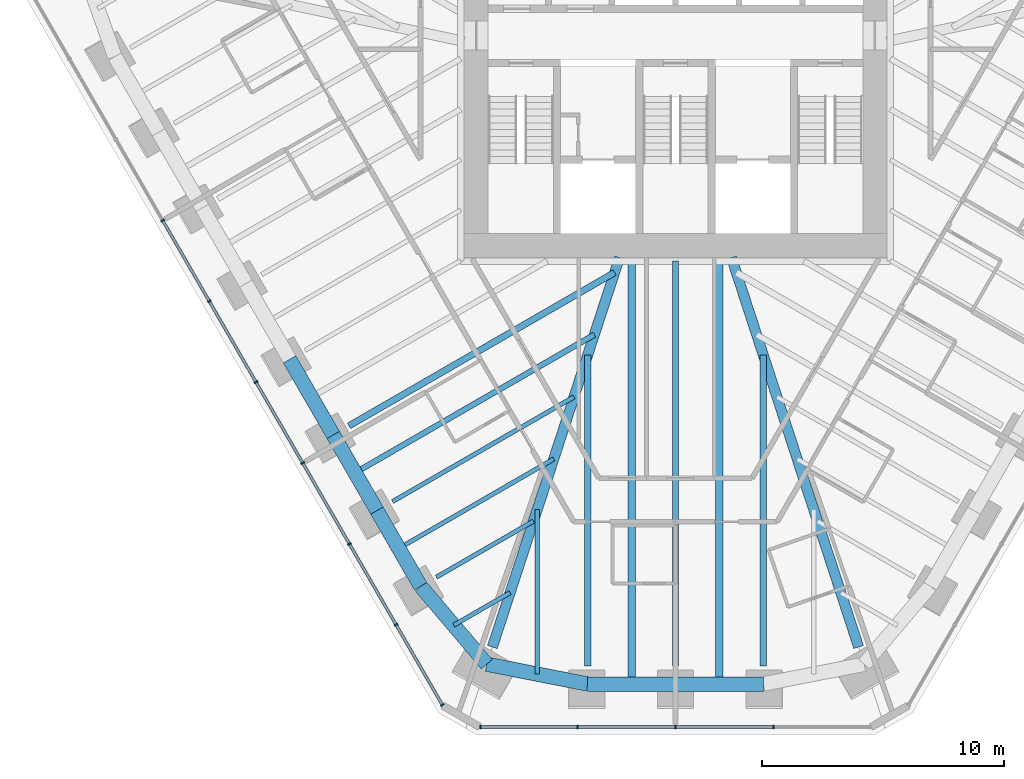
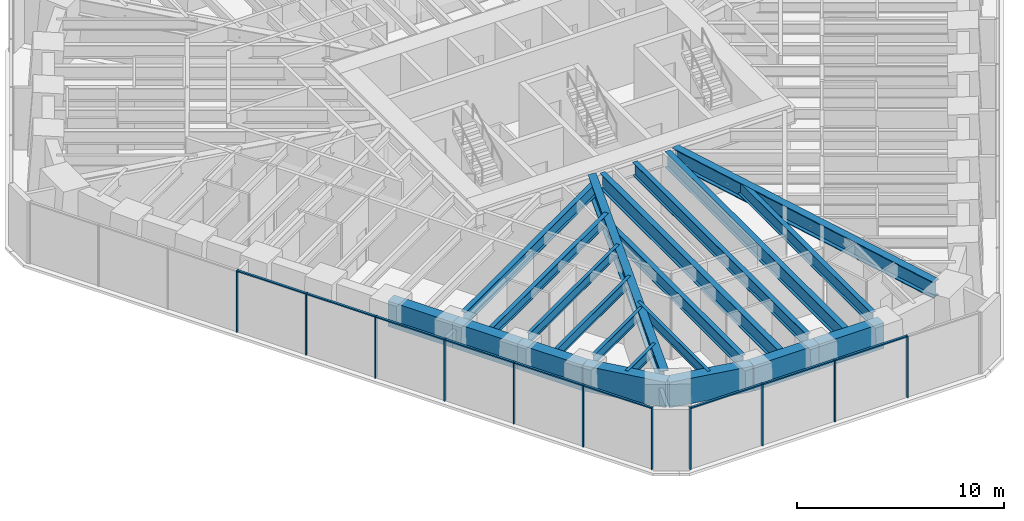
# One storey, part 2 of 17: 21 beams, 20 members, 2 elements without a shape of their own.
"""IFC4 building model written with IfcOpenShell, lengths in metres."""

from ifc_helpers import new_model, si_unit, direction, frame, origin, origin_2d, place, context, subcontext, project, spatial, rectangle, i_section, extrude, material, material_profile, profile_set, type_object, element, aggregate, save


model = new_model("IFC4")

# Units and contexts
model_context = context("Model", 3, precision=1e-05, world=origin(), true_north=direction((0.0, 1.0)))
body_context = subcontext(model_context, "Body", "Model", "MODEL_VIEW")
ifc_project = project(units=[si_unit("LENGTHUNIT", "METRE"), si_unit("AREAUNIT", "SQUARE_METRE"), si_unit("VOLUMEUNIT", "CUBIC_METRE"), si_unit("PLANEANGLEUNIT", "RADIAN"), si_unit("MASSUNIT", "GRAM", prefix="KILO")], contexts=[model_context])

# Site, building, storey
site_placement = place(None, origin())
site = spatial("IfcSite", under=ifc_project, at=site_placement, CompositionType="ELEMENT")
building_placement = place(site_placement, origin())
building = spatial("IfcBuilding", under=site, at=building_placement, Name="Sandreach Pilgrim Tower", CompositionType="ELEMENT")
storey_placement = place(building_placement, frame((0.0, 0.0, 236.39990234375)))
storey = spatial("IfcBuildingStorey", under=building, at=storey_placement, Name="L59", CompositionType="ELEMENT", Elevation=236.39990234375)

# Curtain wall, members
ifc_material_1 = material(Name="Aluminium framed curtain wall", Category="aluminium")
curtain_wall_type = type_object("IfcCurtainWallType", Name="Upper hotel tower curtain wall", PredefinedType="NOTDEFINED", material=ifc_material_1)
curtain_wall_1_placement = place(storey_placement, origin())
curtain_wall_1 = element("IfcCurtainWall", 1, at=curtain_wall_1_placement, inside=storey, type_object=curtain_wall_type, Name="CW-3 L59 S", PredefinedType="NOTDEFINED")
ifc_material_2 = material(Name="Aluminium extrusion", Category="aluminium")
ifc_material_profile_1 = material_profile(ifc_material_2, rectangle(XDim=0.06494140625, YDim=0.159912109375, at=origin_2d()), Name="CW-3M 65X160")
ifc_profile_set_1 = profile_set([ifc_material_profile_1], Name="Aluminium extrusion")
member_type_1 = type_object("IfcMemberType", Name="CW-3 mullion", PredefinedType="MULLION", material=ifc_profile_set_1)
member_1_placement = place(storey_placement, frame((4.048583984375, -26.525146484375, 0.0), z_axis=(0.0, 0.0, 1.0), x_axis=(-1.0, 0.0, 0.0)))
member_1 = element("IfcMember", 2, at=member_1_placement, type_object=member_type_1, Name="CW-3 mullion 2", PredefinedType="MULLION", context=body_context, shape_type="SweptSolid", body=[
    extrude(rectangle(XDim=0.06494140625, YDim=0.159912109375, at=origin_2d()), origin(), (0.0, 0.0, 1.0), 3.64013671875),
])
member_2_placement = place(storey_placement, frame((0.0, -26.525146484375, 0.0), z_axis=(0.0, 0.0, 1.0), x_axis=(-1.0, 0.0, 0.0)))
member_2 = element("IfcMember", 3, at=member_2_placement, type_object=member_type_1, Name="CW-3 mullion 3", PredefinedType="MULLION", context=body_context, shape_type="SweptSolid", body=[
    extrude(rectangle(XDim=0.06494140625, YDim=0.159912109375, at=origin_2d()), origin(), (0.0, 0.0, 1.0), 3.64013671875),
])
member_3_placement = place(storey_placement, frame((-4.048583984375, -26.525146484375, 0.0), z_axis=(0.0, 0.0, 1.0), x_axis=(-1.0, 0.0, 0.0)))
member_3 = element("IfcMember", 4, at=member_3_placement, type_object=member_type_1, Name="CW-3 mullion 4", PredefinedType="MULLION", context=body_context, shape_type="SweptSolid", body=[
    extrude(rectangle(XDim=0.06494140625, YDim=0.159912109375, at=origin_2d()), origin(), (0.0, 0.0, 1.0), 3.64013671875),
])
member_4_placement = place(storey_placement, frame((-8.06494140625, -26.525146484375, 0.0), z_axis=(0.0, 0.0, 1.0), x_axis=(-1.0, 0.0, 0.0)))
member_4 = element("IfcMember", 5, at=member_4_placement, type_object=member_type_1, Name="CW-3 mullion 5", PredefinedType="MULLION", context=body_context, shape_type="SweptSolid", body=[
    extrude(rectangle(XDim=0.06494140625, YDim=0.159912109375, at=origin_2d()), origin(), (0.0, 0.0, 1.0), 3.64013671875),
])

curtain_wall_2_placement = place(storey_placement, origin())
curtain_wall_2 = element("IfcCurtainWall", 6, at=curtain_wall_2_placement, inside=storey, type_object=curtain_wall_type, Name="CW-3 L59 SW", PredefinedType="NOTDEFINED")
member_5_placement = place(storey_placement, frame((-9.646484375, -25.612060546875, 0.0), z_axis=(0.0, 0.0, 1.0), x_axis=(-0.5, 0.866025403784, 0.0)))
member_5 = element("IfcMember", 7, at=member_5_placement, type_object=member_type_1, Name="CW-3 mullion 1", PredefinedType="MULLION", context=body_context, shape_type="SweptSolid", body=[
    extrude(rectangle(XDim=0.06494140625, YDim=0.159912109375, at=origin_2d()), origin(), (0.0, 0.0, 1.0), 3.64013671875),
])
member_6_placement = place(storey_placement, frame((-11.5625, -22.29345703125, 0.0), z_axis=(0.0, 0.0, 1.0), x_axis=(-0.5, 0.866025403784, 0.0)))
member_6 = element("IfcMember", 8, at=member_6_placement, type_object=member_type_1, Name="CW-3 mullion 2", PredefinedType="MULLION", context=body_context, shape_type="SweptSolid", body=[
    extrude(rectangle(XDim=0.06494140625, YDim=0.159912109375, at=origin_2d()), origin(), (0.0, 0.0, 1.0), 3.64013671875),
])
member_7_placement = place(storey_placement, frame((-13.49462890625, -18.94677734375, 0.0), z_axis=(0.0, 0.0, 1.0), x_axis=(-0.5, 0.866025403784, 0.0)))
member_7 = element("IfcMember", 9, at=member_7_placement, type_object=member_type_1, Name="CW-3 mullion 3", PredefinedType="MULLION", context=body_context, shape_type="SweptSolid", body=[
    extrude(rectangle(XDim=0.06494140625, YDim=0.159912109375, at=origin_2d()), origin(), (0.0, 0.0, 1.0), 3.64013671875),
])
member_8_placement = place(storey_placement, frame((-15.4267578125, -15.60009765625, 0.0), z_axis=(0.0, 0.0, 1.0), x_axis=(-0.5, 0.866025403784, 0.0)))
member_8 = element("IfcMember", 10, at=member_8_placement, type_object=member_type_1, Name="CW-3 mullion 4", PredefinedType="MULLION", context=body_context, shape_type="SweptSolid", body=[
    extrude(rectangle(XDim=0.06494140625, YDim=0.159912109375, at=origin_2d()), origin(), (0.0, 0.0, 1.0), 3.64013671875),
])
member_9_placement = place(storey_placement, frame((-17.359130859375, -12.25341796875, 0.0), z_axis=(0.0, 0.0, 1.0), x_axis=(-0.5, 0.866025403784, 0.0)))
member_9 = element("IfcMember", 11, at=member_9_placement, type_object=member_type_1, Name="CW-3 mullion 5", PredefinedType="MULLION", context=body_context, shape_type="SweptSolid", body=[
    extrude(rectangle(XDim=0.06494140625, YDim=0.159912109375, at=origin_2d()), origin(), (0.0, 0.0, 1.0), 3.64013671875),
])
member_10_placement = place(storey_placement, frame((-19.291259765625, -8.90673828125, 0.0), z_axis=(0.0, 0.0, 1.0), x_axis=(-0.5, 0.866025403784, 0.0)))
member_10 = element("IfcMember", 12, at=member_10_placement, type_object=member_type_1, Name="CW-3 mullion 6", PredefinedType="MULLION", context=body_context, shape_type="SweptSolid", body=[
    extrude(rectangle(XDim=0.06494140625, YDim=0.159912109375, at=origin_2d()), origin(), (0.0, 0.0, 1.0), 3.64013671875),
])
member_11_placement = place(storey_placement, frame((-21.223388671875, -5.56005859375, 0.0), z_axis=(0.0, 0.0, 1.0), x_axis=(-0.5, 0.866025403784, 0.0)))
member_11 = element("IfcMember", 13, at=member_11_placement, type_object=member_type_1, Name="CW-3 mullion 7", PredefinedType="MULLION", context=body_context, shape_type="SweptSolid", body=[
    extrude(rectangle(XDim=0.06494140625, YDim=0.159912109375, at=origin_2d()), origin(), (0.0, 0.0, 1.0), 3.64013671875),
])

# Member
ifc_material_3 = material(Name="Aluminium extrusion", Category="aluminium")
ifc_material_profile_2 = material_profile(ifc_material_3, rectangle(XDim=0.1201171875, YDim=0.070068359375, at=origin_2d()), Name="CW-3T 120X70")
ifc_profile_set_2 = profile_set([ifc_material_profile_2], Name="Aluminium extrusion")
member_type_2 = type_object("IfcMemberType", Name="CW-3 transom", PredefinedType="USERDEFINED", material=ifc_profile_set_2)
member_12_placement = place(storey_placement, frame((4.01611328125, -26.525146484375, 3.60498046875), z_axis=(-1.0, 0.0, 0.0), x_axis=(0.0, -1.0, 0.0)))
member_12 = element("IfcMember", 14, at=member_12_placement, type_object=member_type_2, Name="CW-3 head transom 2", ObjectType="TRANSOM", PredefinedType="USERDEFINED", context=body_context, shape_type="SweptSolid", body=[
    extrude(rectangle(XDim=0.1201171875, YDim=0.070068359375, at=origin_2d()), origin(), (0.0, 0.0, 1.0), 3.983642578125),
])

member_13_placement = place(storey_placement, frame((-0.032470703125, -26.525146484375, 3.60498046875), z_axis=(-1.0, 0.0, 0.0), x_axis=(0.0, -1.0, 0.0)))
member_13 = element("IfcMember", 15, at=member_13_placement, type_object=member_type_2, Name="CW-3 head transom 3", ObjectType="TRANSOM", PredefinedType="USERDEFINED", context=body_context, shape_type="SweptSolid", body=[
    extrude(rectangle(XDim=0.1201171875, YDim=0.070068359375, at=origin_2d()), origin(), (0.0, 0.0, 1.0), 3.983642578125),
])

member_14_placement = place(storey_placement, frame((-4.081298828125, -26.525146484375, 3.60498046875), z_axis=(-1.0, 0.0, 0.0), x_axis=(0.0, -1.0, 0.0)))
member_14 = element("IfcMember", 16, at=member_14_placement, type_object=member_type_2, Name="CW-3 head transom 4", ObjectType="TRANSOM", PredefinedType="USERDEFINED", context=body_context, shape_type="SweptSolid", body=[
    extrude(rectangle(XDim=0.1201171875, YDim=0.070068359375, at=origin_2d()), origin(), (0.0, 0.0, 1.0), 3.951171875),
])

aggregate(curtain_wall_1, [member_1, member_2, member_3, member_4, member_12, member_13, member_14])

member_15_placement = place(storey_placement, frame((-9.662841796875, -25.583740234375, 3.60498046875), z_axis=(-0.499973055223, 0.8660409598, 0.0), x_axis=(-0.8660409598, -0.499973055223, 0.0)))
member_15 = element("IfcMember", 17, at=member_15_placement, type_object=member_type_2, Name="CW-3 head transom 1", ObjectType="TRANSOM", PredefinedType="USERDEFINED", context=body_context, shape_type="SweptSolid", body=[
    extrude(rectangle(XDim=0.1201171875, YDim=0.070068359375, at=origin_2d()), origin(), (0.0, 0.0, 1.0), 3.766845703125),
])

member_16_placement = place(storey_placement, frame((-11.57861328125, -22.265380859375, 3.60498046875), z_axis=(-0.500022797313, 0.86601224135, 0.0), x_axis=(-0.86601224135, -0.500022797313, 0.0)))
member_16 = element("IfcMember", 18, at=member_16_placement, type_object=member_type_2, Name="CW-3 head transom 2", ObjectType="TRANSOM", PredefinedType="USERDEFINED", context=body_context, shape_type="SweptSolid", body=[
    extrude(rectangle(XDim=0.1201171875, YDim=0.070068359375, at=origin_2d()), origin(), (0.0, 0.0, 1.0), 3.799560546875),
])

member_17_placement = place(storey_placement, frame((-13.510986328125, -18.918701171875, 3.60498046875), z_axis=(-0.499974606132, 0.866040064445, 0.0), x_axis=(-0.866040064445, -0.499974606132, 0.0)))
member_17 = element("IfcMember", 19, at=member_17_placement, type_object=member_type_2, Name="CW-3 head transom 3", ObjectType="TRANSOM", PredefinedType="USERDEFINED", context=body_context, shape_type="SweptSolid", body=[
    extrude(rectangle(XDim=0.1201171875, YDim=0.070068359375, at=origin_2d()), origin(), (0.0, 0.0, 1.0), 3.799560546875),
])

member_18_placement = place(storey_placement, frame((-15.443115234375, -15.572021484375, 3.60498046875), z_axis=(-0.499974606132, 0.866040064445, 0.0), x_axis=(-0.866040064445, -0.499974606132, 0.0)))
member_18 = element("IfcMember", 20, at=member_18_placement, type_object=member_type_2, Name="CW-3 head transom 4", ObjectType="TRANSOM", PredefinedType="USERDEFINED", context=body_context, shape_type="SweptSolid", body=[
    extrude(rectangle(XDim=0.1201171875, YDim=0.070068359375, at=origin_2d()), origin(), (0.0, 0.0, 1.0), 3.799560546875),
])

member_19_placement = place(storey_placement, frame((-17.375244140625, -12.225341796875, 3.60498046875), z_axis=(-0.500022797313, 0.86601224135, 0.0), x_axis=(-0.86601224135, -0.500022797313, 0.0)))
member_19 = element("IfcMember", 21, at=member_19_placement, type_object=member_type_2, Name="CW-3 head transom 5", ObjectType="TRANSOM", PredefinedType="USERDEFINED", context=body_context, shape_type="SweptSolid", body=[
    extrude(rectangle(XDim=0.1201171875, YDim=0.070068359375, at=origin_2d()), origin(), (0.0, 0.0, 1.0), 3.799560546875),
])

member_20_placement = place(storey_placement, frame((-19.3076171875, -8.878662109375, 3.60498046875), z_axis=(-0.499974606132, 0.866040064445, 0.0), x_axis=(-0.866040064445, -0.499974606132, 0.0)))
member_20 = element("IfcMember", 22, at=member_20_placement, type_object=member_type_2, Name="CW-3 head transom 6", ObjectType="TRANSOM", PredefinedType="USERDEFINED", context=body_context, shape_type="SweptSolid", body=[
    extrude(rectangle(XDim=0.1201171875, YDim=0.070068359375, at=origin_2d()), origin(), (0.0, 0.0, 1.0), 3.799560546875),
])

aggregate(curtain_wall_2, [member_5, member_6, member_7, member_8, member_9, member_10, member_11, member_15, member_16, member_17, member_18, member_19, member_20])

# Beams
ifc_material_4 = material(Name="Steel ASTM A992 Grade 50", Category="steel")
ifc_material_profile_3 = material_profile(ifc_material_4, i_section(OverallWidth=0.421630859375, OverallDepth=0.95751953125, WebThickness=0.02587890625, FlangeThickness=0.046875, at=origin_2d()), Name="W36X330")
ifc_profile_set_3 = profile_set([ifc_material_profile_3], Name="Steel ASTM A992 Grade 50")
beam_type_1 = type_object("IfcBeamType", Name="Corner girder W36X330", PredefinedType="BEAM", material=ifc_profile_set_3)
for number, where, z_axis, x_axis, name in (
    (23, (7.57763671875, -23.214111328125, 3.161376953125), (-0.310310673891, 0.950635201152, 0.0), (-0.950635201152, -0.310310673891, 0.0), "BM L59 CG22"),
    (24, (-7.57763671875, -23.214111328125, 3.161376953125), (0.310310673891, 0.950635201152, 0.0), (-0.950635201152, 0.310310673891, 0.0), "BM L59 CG26"),
):
    element("IfcBeam", number, at=place(storey_placement, frame(where, z_axis=z_axis, x_axis=x_axis)), inside=storey, type_object=beam_type_1, Name=name, PredefinedType="BEAM", context=body_context, shape_type="SweptSolid", body=[
        extrude(i_section(OverallWidth=0.421630859375, OverallDepth=0.95751953125, WebThickness=0.02587890625, FlangeThickness=0.046875, at=origin_2d()), origin(), (0.0, 0.0, 1.0), 16.95068359375),
    ])
ifc_material_5 = material(Name="Steel ASTM A992 Grade 50", Category="steel")
ifc_material_profile_4 = material_profile(ifc_material_5, i_section(OverallWidth=0.1787109375, OverallDepth=0.60205078125, WebThickness=0.010986328125, FlangeThickness=0.014892578125, at=origin_2d()), Name="W24X62")
ifc_profile_set_4 = profile_set([ifc_material_profile_4], Name="Steel ASTM A992 Grade 50")
beam_type_2 = type_object("IfcBeamType", Name="Floor beam W24X62", PredefinedType="BEAM", material=ifc_profile_set_4)
beam_1_placement = place(storey_placement, frame((-9.897705078125, -20.325927734375, 3.339111328125), z_axis=(0.866020945878, 0.500007721242, 0.0), x_axis=(-0.500007721242, 0.866020945878, 0.0)))
element("IfcBeam", 25, at=beam_1_placement, inside=storey, type_object=beam_type_2, Name="BM L59 F27", PredefinedType="BEAM", context=body_context, shape_type="SweptSolid", body=[
    extrude(i_section(OverallWidth=0.1787109375, OverallDepth=0.60205078125, WebThickness=0.010986328125, FlangeThickness=0.014892578125, at=origin_2d()), origin(), (0.0, 0.0, 1.0), 4.642578125),
])
beam_2_placement = place(storey_placement, frame((-11.70556640625, -17.19482421875, 3.339111328125), z_axis=(0.866038795048, 0.499976804933, 0.0), x_axis=(-0.499976804933, 0.866038795048, 0.0)))
element("IfcBeam", 26, at=beam_2_placement, inside=storey, type_object=beam_type_2, Name="BM L59 F28", PredefinedType="BEAM", context=body_context, shape_type="SweptSolid", body=[
    extrude(i_section(OverallWidth=0.1787109375, OverallDepth=0.60205078125, WebThickness=0.010986328125, FlangeThickness=0.014892578125, at=origin_2d()), origin(), (0.0, 0.0, 1.0), 8.6689453125),
])
beam_3_placement = place(storey_placement, frame((-5.722412109375, -24.33642578125, 3.339111328125), z_axis=(0.0, 1.0, 0.0), x_axis=(-1.0, 0.0, 0.0)))
element("IfcBeam", 27, at=beam_3_placement, inside=storey, type_object=beam_type_2, Name="BM L59 FM25", PredefinedType="BEAM", context=body_context, shape_type="SweptSolid", body=[
    extrude(i_section(OverallWidth=0.1787109375, OverallDepth=0.60205078125, WebThickness=0.010986328125, FlangeThickness=0.014892578125, at=origin_2d()), origin(), (0.0, 0.0, 1.0), 6.80615234375),
])
beam_4_placement = place(storey_placement, frame((-9.178955078125, -22.314208984375, 3.339111328125), z_axis=(0.866039334336, 0.4999758708, 0.0), x_axis=(-0.4999758708, 0.866039334336, 0.0)))
element("IfcBeam", 28, at=beam_4_placement, inside=storey, type_object=beam_type_2, Name="BM L59 FM26", PredefinedType="BEAM", context=body_context, shape_type="SweptSolid", body=[
    extrude(i_section(OverallWidth=0.1787109375, OverallDepth=0.60205078125, WebThickness=0.010986328125, FlangeThickness=0.014892578125, at=origin_2d()), origin(), (0.0, 0.0, 1.0), 2.696533203125),
])
beam_5_placement = place(storey_placement, frame((-11.451171875, -19.135498046875, 3.339111328125), z_axis=(0.866025283471, 0.50000020839, 0.0), x_axis=(-0.50000020839, 0.866025283471, 0.0)))
element("IfcBeam", 29, at=beam_5_placement, inside=storey, type_object=beam_type_2, Name="BM L59 FM27", PredefinedType="BEAM", context=body_context, shape_type="SweptSolid", body=[
    extrude(i_section(OverallWidth=0.1787109375, OverallDepth=0.60205078125, WebThickness=0.010986328125, FlangeThickness=0.014892578125, at=origin_2d()), origin(), (0.0, 0.0, 1.0), 7.40576171875),
])
ifc_material_6 = material(Name="Steel ASTM A992 Grade 50", Category="steel")
ifc_material_profile_5 = material_profile(ifc_material_6, i_section(OverallWidth=0.23046875, OverallDepth=0.6171875, WebThickness=0.01318359375, FlangeThickness=0.022216796875, at=origin_2d()), Name="W24X94")
ifc_profile_set_5 = profile_set([ifc_material_profile_5], Name="Steel ASTM A992 Grade 50")
beam_type_3 = type_object("IfcBeamType", Name="Floor beam W24X94", PredefinedType="BEAM", material=ifc_profile_set_5)
beam_6_placement = place(storey_placement, frame((-13.2587890625, -16.00439453125, 3.33154296875), z_axis=(0.866022704618, 0.500004675065, 0.0), x_axis=(-0.500004675065, 0.866022704618, 0.0)))
element("IfcBeam", 30, at=beam_6_placement, inside=storey, type_object=beam_type_3, Name="BM L59 FM28", PredefinedType="BEAM", context=body_context, shape_type="SweptSolid", body=[
    extrude(i_section(OverallWidth=0.23046875, OverallDepth=0.6171875, WebThickness=0.01318359375, FlangeThickness=0.022216796875, at=origin_2d()), origin(), (0.0, 0.0, 1.0), 11.43212890625),
])
ifc_material_7 = material(Name="Steel ASTM A992 Grade 50", Category="steel")
ifc_material_profile_6 = material_profile(ifc_material_7, i_section(OverallWidth=0.2666015625, OverallDepth=0.761962890625, WebThickness=0.014404296875, FlangeThickness=0.021484375, at=origin_2d()), Name="W30X116")
ifc_profile_set_6 = profile_set([ifc_material_profile_6], Name="Steel ASTM A992 Grade 50")
beam_type_4 = type_object("IfcBeamType", Name="Floor beam W30X116", PredefinedType="BEAM", material=ifc_profile_set_6)
for number, where, z_axis, x_axis, name in (
    (31, (3.634033203125, -23.995849609375, 3.259033203125), (0.0, 1.0, 0.0), (-1.0, 0.0, 0.0), "BM L59 F23"),
    (32, (-3.634033203125, -23.995849609375, 3.259033203125), (0.0, 1.0, 0.0), (-1.0, 0.0, 0.0), "BM L59 F25"),
):
    element("IfcBeam", number, at=place(storey_placement, frame(where, z_axis=z_axis, x_axis=x_axis)), inside=storey, type_object=beam_type_4, Name=name, PredefinedType="BEAM", context=body_context, shape_type="SweptSolid", body=[
        extrude(i_section(OverallWidth=0.2666015625, OverallDepth=0.761962890625, WebThickness=0.014404296875, FlangeThickness=0.021484375, at=origin_2d()), origin(), (0.0, 0.0, 1.0), 12.86279296875),
    ])
beam_7_placement = place(storey_placement, frame((-13.51318359375, -14.06396484375, 3.259033203125), z_axis=(0.866023860518, 0.500002673006, 0.0), x_axis=(-0.500002673006, 0.866023860518, 0.0)))
element("IfcBeam", 33, at=beam_7_placement, inside=storey, type_object=beam_type_4, Name="BM L59 F29", PredefinedType="BEAM", context=body_context, shape_type="SweptSolid", body=[
    extrude(i_section(OverallWidth=0.2666015625, OverallDepth=0.761962890625, WebThickness=0.014404296875, FlangeThickness=0.021484375, at=origin_2d()), origin(), (0.0, 0.0, 1.0), 12.6953125),
])
ifc_material_8 = material(Name="Steel ASTM A992 Grade 50", Category="steel")
ifc_material_profile_7 = material_profile(ifc_material_8, i_section(OverallWidth=0.2666015625, OverallDepth=0.77978515625, WebThickness=0.0166015625, FlangeThickness=0.030029296875, at=origin_2d()), Name="W30X148")
ifc_profile_set_7 = profile_set([ifc_material_profile_7], Name="Steel ASTM A992 Grade 50")
beam_type_5 = type_object("IfcBeamType", Name="Floor beam W30X148", PredefinedType="BEAM", material=ifc_profile_set_7)
beam_8_placement = place(storey_placement, frame((0.0, -23.995849609375, 3.250244140625), z_axis=(0.0, 1.0, 0.0), x_axis=(-1.0, 0.0, 0.0)))
element("IfcBeam", 34, at=beam_8_placement, inside=storey, type_object=beam_type_5, Name="BM L59 F24", PredefinedType="BEAM", context=body_context, shape_type="SweptSolid", body=[
    extrude(i_section(OverallWidth=0.2666015625, OverallDepth=0.77978515625, WebThickness=0.0166015625, FlangeThickness=0.030029296875, at=origin_2d()), origin(), (0.0, 0.0, 1.0), 16.75244140625),
])
ifc_material_9 = material(Name="Steel ASTM A992 Grade 50", Category="steel")
ifc_material_profile_8 = material_profile(ifc_material_9, i_section(OverallWidth=0.3046875, OverallDepth=0.914306640625, WebThickness=0.0166015625, FlangeThickness=0.02587890625, at=origin_2d()), Name="W36X160")
ifc_profile_set_8 = profile_set([ifc_material_profile_8], Name="Steel ASTM A992 Grade 50")
beam_type_6 = type_object("IfcBeamType", Name="Floor beam W36X160", PredefinedType="BEAM", material=ifc_profile_set_8)
for number, where, z_axis, x_axis, name in (
    (35, (1.817138671875, -24.745849609375, 3.182861328125), (0.0, 1.0, 0.0), (-1.0, 0.0, 0.0), "BM L59 FM23"),
    (36, (-1.817138671875, -24.745849609375, 3.182861328125), (0.0, 1.0, 0.0), (-1.0, 0.0, 0.0), "BM L59 FM24"),
):
    element("IfcBeam", number, at=place(storey_placement, frame(where, z_axis=z_axis, x_axis=x_axis)), inside=storey, type_object=beam_type_6, Name=name, PredefinedType="BEAM", context=body_context, shape_type="SweptSolid", body=[
        extrude(i_section(OverallWidth=0.3046875, OverallDepth=0.914306640625, WebThickness=0.0166015625, FlangeThickness=0.02587890625, at=origin_2d()), origin(), (0.0, 0.0, 1.0), 17.50244140625),
    ])
ifc_material_10 = material(Name="Concrete 10000 psi", Category="concrete")
ifc_material_profile_9 = material_profile(ifc_material_10, rectangle(XDim=0.60009765625, YDim=1.5, at=origin_2d()), Name="RC600X1500")
ifc_profile_set_9 = profile_set([ifc_material_profile_9], Name="Concrete 10000 psi")
beam_type_7 = type_object("IfcBeamType", Name="Spandrel beam RC600X1500", PredefinedType="SPANDREL", material=ifc_profile_set_9)
for number, where, z_axis, x_axis, name in (
    (37, (3.634033203125, -24.745849609375, 2.89013671875), (-1.0, 0.0, 0.0), (0.0, -1.0, 0.0), "BM L59 SP23"),
    (38, (0.0, -24.745849609375, 2.89013671875), (-1.0, 0.0, 0.0), (0.0, -1.0, 0.0), "BM L59 SP24"),
):
    element("IfcBeam", number, at=place(storey_placement, frame(where, z_axis=z_axis, x_axis=x_axis)), inside=storey, type_object=beam_type_7, Name=name, PredefinedType="SPANDREL", context=body_context, shape_type="SweptSolid", body=[
        extrude(rectangle(XDim=0.60009765625, YDim=1.5, at=origin_2d()), origin(), (0.0, 0.0, 1.0), 3.634033203125),
    ])
beam_9_placement = place(storey_placement, frame((-3.634033203125, -24.745849609375, 2.89013671875), z_axis=(-0.981327976523, 0.192341889594, 0.0), x_axis=(-0.192341889594, -0.981327976523, 0.0)))
element("IfcBeam", 39, at=beam_9_placement, inside=storey, type_object=beam_type_7, Name="BM L59 SP25", PredefinedType="SPANDREL", context=body_context, shape_type="SweptSolid", body=[
    extrude(rectangle(XDim=0.60009765625, YDim=1.5, at=origin_2d()), origin(), (0.0, 0.0, 1.0), 4.256103515625),
])
beam_10_placement = place(storey_placement, frame((-7.810546875, -23.92724609375, 2.89013671875), z_axis=(-0.646885939391, 0.762586769764, 0.0), x_axis=(-0.762586769764, -0.646885939391, 0.0)))
element("IfcBeam", 40, at=beam_10_placement, inside=storey, type_object=beam_type_7, Name="BM L59 SP26", PredefinedType="SPANDREL", context=body_context, shape_type="SweptSolid", body=[
    extrude(rectangle(XDim=0.60009765625, YDim=1.5, at=origin_2d()), origin(), (0.0, 0.0, 1.0), 4.230712890625),
])
beam_11_placement = place(storey_placement, frame((-10.54736328125, -20.700927734375, 2.89013671875), z_axis=(-0.499973805724, 0.866040526528, 0.0), x_axis=(-0.866040526528, -0.499973805724, 0.0)))
element("IfcBeam", 41, at=beam_11_placement, inside=storey, type_object=beam_type_7, Name="BM L59 SP27", PredefinedType="SPANDREL", context=body_context, shape_type="SweptSolid", body=[
    extrude(rectangle(XDim=0.60009765625, YDim=1.5, at=origin_2d()), origin(), (0.0, 0.0, 1.0), 3.615478515625),
])
beam_12_placement = place(storey_placement, frame((-12.35498046875, -17.56982421875, 2.89013671875), z_axis=(-0.500003046405, 0.866023644935, 0.0), x_axis=(-0.866023644935, -0.500003046405, 0.0)))
element("IfcBeam", 42, at=beam_12_placement, inside=storey, type_object=beam_type_7, Name="BM L59 SP28", PredefinedType="SPANDREL", context=body_context, shape_type="SweptSolid", body=[
    extrude(rectangle(XDim=0.60009765625, YDim=1.5, at=origin_2d()), origin(), (0.0, 0.0, 1.0), 3.615234375),
])
beam_13_placement = place(storey_placement, frame((-14.16259765625, -14.43896484375, 2.89013671875), z_axis=(-0.500024450573, 0.866011286779, 0.0), x_axis=(-0.866011286779, -0.500024450573, 0.0)))
element("IfcBeam", 43, at=beam_13_placement, inside=storey, type_object=beam_type_7, Name="BM L59 SP29", PredefinedType="SPANDREL", context=body_context, shape_type="SweptSolid", body=[
    extrude(rectangle(XDim=0.60009765625, YDim=1.5, at=origin_2d()), origin(), (0.0, 0.0, 1.0), 3.615478515625),
])

save(model, "model.ifc")
